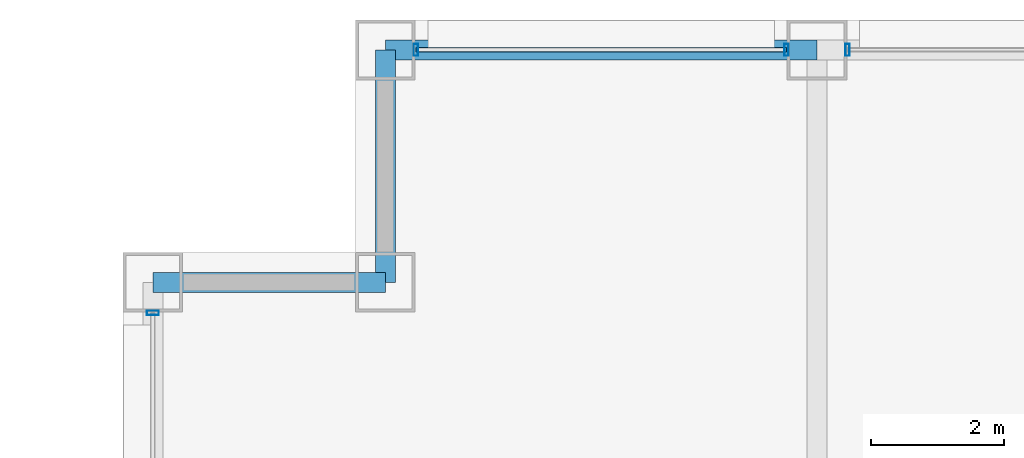
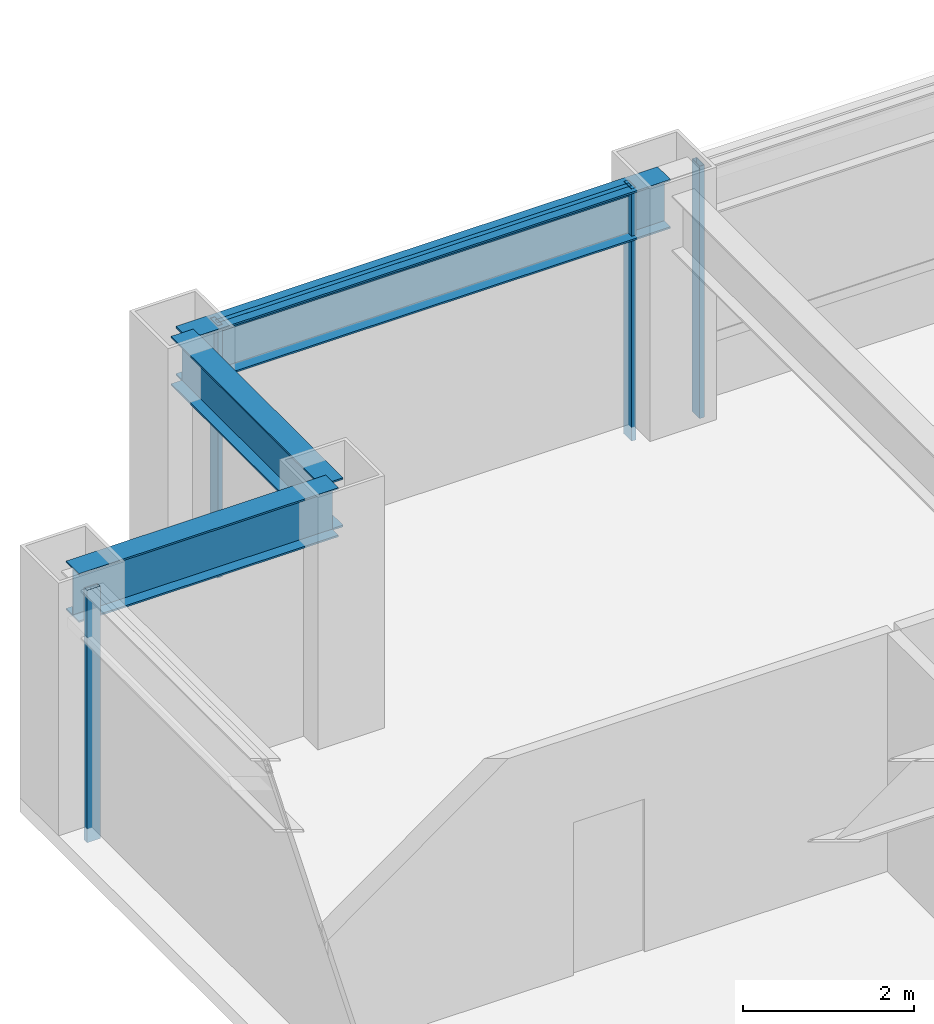
# One storey, part 17 of 29: 5 members, 3 beams, 3 elements without a shape of their own.
"""IFC4 building model written with IfcOpenShell, lengths in metres."""

from ifc_helpers import new_model, si_unit, direction, frame, origin, origin_2d, place, context, subcontext, project, spatial, hollow_rectangle, i_section, extrude, material, layer, layer_set, material_profile, profile_set, type_object, element, aggregate, save


model = new_model("IFC4")

# Units and contexts
model_context = context("Model", 3, precision=1e-05, world=origin(), true_north=direction((0.0, 1.0)))
body_context = subcontext(model_context, "Body", "Model", "MODEL_VIEW")
ifc_project = project(units=[si_unit("LENGTHUNIT", "METRE"), si_unit("AREAUNIT", "SQUARE_METRE"), si_unit("VOLUMEUNIT", "CUBIC_METRE"), si_unit("PLANEANGLEUNIT", "RADIAN"), si_unit("MASSUNIT", "GRAM", prefix="KILO")], contexts=[model_context])

# Site, building, storey
site_placement = place(None, origin())
site = spatial("IfcSite", under=ifc_project, at=site_placement, CompositionType="ELEMENT")
building_placement = place(site_placement, origin())
building = spatial("IfcBuilding", under=site, at=building_placement, Name="Brelmoor Portico Tower", CompositionType="ELEMENT")
storey_placement = place(building_placement, frame((0.0, 0.0, 60.0)))
storey = spatial("IfcBuildingStorey", under=building, at=storey_placement, Name="L15", CompositionType="ELEMENT", Elevation=60.0)

# Beams
ifc_material_1 = material(Name="Steel Q355B", Category="steel")
ifc_material_profile_1 = material_profile(ifc_material_1, i_section(OverallWidth=0.300048828125, OverallDepth=0.699951171875, WebThickness=0.012939453125, FlangeThickness=0.02392578125, at=origin_2d()), Name="HN 700x300x13x24")
ifc_profile_set_1 = profile_set([ifc_material_profile_1], Name="Steel Q355B")
beam_type = type_object("IfcBeamType", Name="BM-SP-700", PredefinedType="SPANDREL", material=ifc_profile_set_1)
beam_1_placement = place(storey_placement, frame((-24.550048828125, 18.050048828125, 3.050048828125), z_axis=(1.0, 0.0, 0.0), x_axis=(0.0, 1.0, 0.0)))
element("IfcBeam", 1, at=beam_1_placement, inside=storey, type_object=beam_type, Name="L15 Perimeter Spandrel Beam SP-08", PredefinedType="SPANDREL", context=body_context, shape_type="SweptSolid", body=[
    extrude(i_section(OverallWidth=0.300048828125, OverallDepth=0.699951171875, WebThickness=0.012939453125, FlangeThickness=0.02392578125, at=origin_2d()), origin(), (0.0, 0.0, 1.0), 3.5),
])
beam_2_placement = place(storey_placement, frame((-21.050048828125, 21.550048828125, 3.050048828125), z_axis=(1.0, 0.0, 0.0), x_axis=(0.0, 1.0, 0.0)))
element("IfcBeam", 2, at=beam_2_placement, inside=storey, type_object=beam_type, Name="L15 Perimeter Spandrel Beam SP-10", PredefinedType="SPANDREL", context=body_context, shape_type="SweptSolid", body=[
    extrude(i_section(OverallWidth=0.300048828125, OverallDepth=0.699951171875, WebThickness=0.012939453125, FlangeThickness=0.02392578125, at=origin_2d()), origin(), (0.0, 0.0, 1.0), 6.5),
])
beam_3_placement = place(storey_placement, frame((-21.050048828125, 18.050048828125, 3.050048828125), z_axis=(0.0, 1.0, 0.0), x_axis=(-1.0, 0.0, 0.0)))
element("IfcBeam", 3, at=beam_3_placement, inside=storey, type_object=beam_type, Name="L15 Perimeter Spandrel Beam SP-19", PredefinedType="SPANDREL", context=body_context, shape_type="SweptSolid", body=[
    extrude(i_section(OverallWidth=0.300048828125, OverallDepth=0.699951171875, WebThickness=0.012939453125, FlangeThickness=0.02392578125, at=origin_2d()), origin(), (0.0, 0.0, 1.0), 3.5),
])

# Curtain wall, members
ifc_material_2 = material(Name="Anodised Aluminium Alloy 6063-T6", Category="aluminium")
ifc_layer_1 = layer(ifc_material_2, 0.179931640625)
ifc_layer_set_1 = layer_set([ifc_layer_1], Name="Anodised Aluminium Alloy 6063-T6")
curtain_wall_type_1 = type_object("IfcCurtainWallType", Name="CW-TOWER-Z1-XB", PredefinedType="NOTDEFINED", material=ifc_layer_set_1)
curtain_wall_1_placement = place(storey_placement, origin())
curtain_wall_1 = element("IfcCurtainWall", 4, at=curtain_wall_1_placement, inside=storey, type_object=curtain_wall_type_1, Name="L15 Curtain Wall CW-L15-02-1", PredefinedType="NOTDEFINED")
ifc_material_profile_2 = material_profile(ifc_material_2, hollow_rectangle(XDim=0.06494140625, YDim=0.179931640625, WallThickness=0.00390625, at=origin_2d()), Name="ALU MULLION 65x180")
ifc_profile_set_2 = profile_set([ifc_material_profile_2], Name="Anodised Aluminium Alloy 6063-T6")
member_type_1 = type_object("IfcMemberType", Name="MB-CW-MULL-180", PredefinedType="MULLION", material=ifc_profile_set_2)
member_1_placement = place(storey_placement, frame((-20.590087890625, 21.550048828125, -0.199951171875), z_axis=(0.0, 0.0, 1.0), x_axis=(1.0, 0.0, 0.0)))
member_1 = element("IfcMember", 5, at=member_1_placement, type_object=member_type_1, Name="CW-L15-02-1 Mullion 00", PredefinedType="MULLION", context=body_context, shape_type="SweptSolid", body=[
    extrude(hollow_rectangle(XDim=0.06494140625, YDim=0.179931640625, WallThickness=0.00390625, at=origin_2d()), origin(), (0.0, 0.0, 1.0), 3.599853515625),
])
member_2_placement = place(storey_placement, frame((-15.010009765625, 21.550048828125, -0.199951171875), z_axis=(0.0, 0.0, 1.0), x_axis=(1.0, 0.0, 0.0)))
member_2 = element("IfcMember", 6, at=member_2_placement, type_object=member_type_1, Name="CW-L15-02-1 Mullion 01", PredefinedType="MULLION", context=body_context, shape_type="SweptSolid", body=[
    extrude(hollow_rectangle(XDim=0.06494140625, YDim=0.179931640625, WallThickness=0.00390625, at=origin_2d()), origin(), (0.0, 0.0, 1.0), 3.599853515625),
])

# Curtain wall, member
ifc_layer_2 = layer(ifc_material_2, 0.179931640625)
ifc_layer_set_2 = layer_set([ifc_layer_2], Name="Anodised Aluminium Alloy 6063-T6")
curtain_wall_type_2 = type_object("IfcCurtainWallType", Name="CW-TOWER-Z1", PredefinedType="NOTDEFINED", material=ifc_layer_set_2)
curtain_wall_2_placement = place(storey_placement, origin())
curtain_wall_2 = element("IfcCurtainWall", 7, at=curtain_wall_2_placement, inside=storey, type_object=curtain_wall_type_2, Name="L15 Curtain Wall CW-L15-02-2", PredefinedType="NOTDEFINED")
member_3_placement = place(storey_placement, frame((-14.090087890625, 21.550048828125, -0.199951171875), z_axis=(0.0, 0.0, 1.0), x_axis=(1.0, 0.0, 0.0)))
member_3 = element("IfcMember", 8, at=member_3_placement, type_object=member_type_1, Name="CW-L15-02-2 Mullion 00", PredefinedType="MULLION", context=body_context, shape_type="SweptSolid", body=[
    extrude(hollow_rectangle(XDim=0.06494140625, YDim=0.179931640625, WallThickness=0.00390625, at=origin_2d()), origin(), (0.0, 0.0, 1.0), 3.599853515625),
])
aggregate(curtain_wall_2, [member_3])

curtain_wall_3_placement = place(storey_placement, origin())
curtain_wall_3 = element("IfcCurtainWall", 9, at=curtain_wall_3_placement, inside=storey, type_object=curtain_wall_type_1, Name="L15 Curtain Wall CW-L15-3R-2", PredefinedType="NOTDEFINED")
member_4_placement = place(storey_placement, frame((-24.550048828125, 17.590087890625, -0.199951171875), z_axis=(0.0, 0.0, 1.0), x_axis=(0.0, 1.0, 0.0)))
member_4 = element("IfcMember", 10, at=member_4_placement, type_object=member_type_1, Name="CW-L15-3R-2 Mullion 01", PredefinedType="MULLION", context=body_context, shape_type="SweptSolid", body=[
    extrude(hollow_rectangle(XDim=0.06494140625, YDim=0.179931640625, WallThickness=0.00390625, at=origin_2d()), origin(), (0.0, 0.0, 1.0), 3.599853515625),
])
aggregate(curtain_wall_3, [member_4])

# Member
ifc_material_profile_3 = material_profile(ifc_material_2, hollow_rectangle(XDim=0.06494140625, YDim=0.139892578125, WallThickness=0.00390625, at=origin_2d()), Name="ALU TRANSOM 65x140")
ifc_profile_set_3 = profile_set([ifc_material_profile_3], Name="Anodised Aluminium Alloy 6063-T6")
member_type_2 = type_object("IfcMemberType", Name="MB-CW-TRAN-140", PredefinedType="USERDEFINED", material=ifc_profile_set_3)
member_5_placement = place(storey_placement, frame((-20.590087890625, 21.550048828125, 3.330078125), z_axis=(1.0, 0.0, 0.0), x_axis=(0.0, 1.0, 0.0)))
member_5 = element("IfcMember", 11, at=member_5_placement, type_object=member_type_2, Name="CW-L15-02-1 Transom 1-00", ObjectType="TRANSOM", PredefinedType="USERDEFINED", context=body_context, shape_type="SweptSolid", body=[
    extrude(hollow_rectangle(XDim=0.06494140625, YDim=0.139892578125, WallThickness=0.00390625, at=origin_2d()), origin(), (0.0, 0.0, 1.0), 5.580078125),
])

aggregate(curtain_wall_1, [member_1, member_2, member_5])

save(model, "model.ifc")
